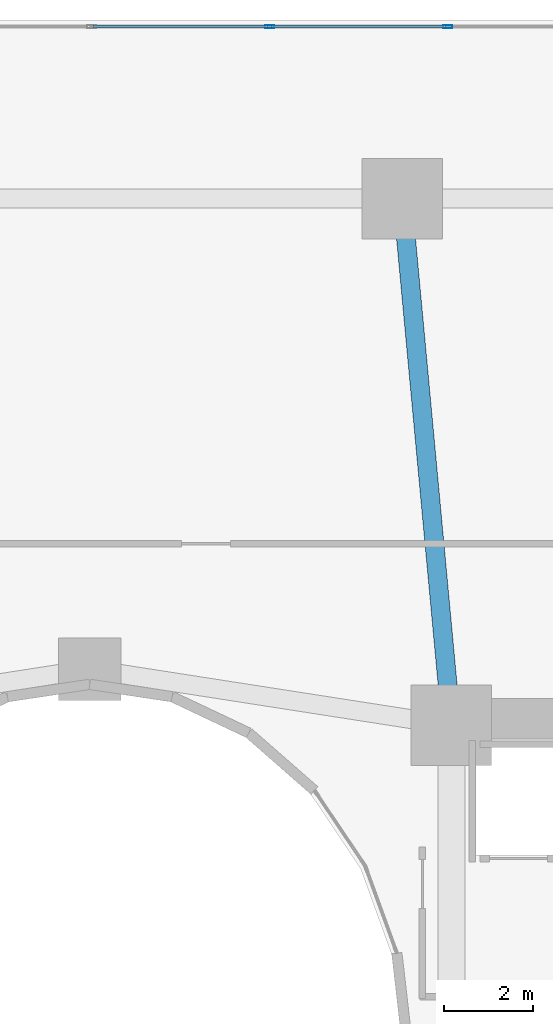
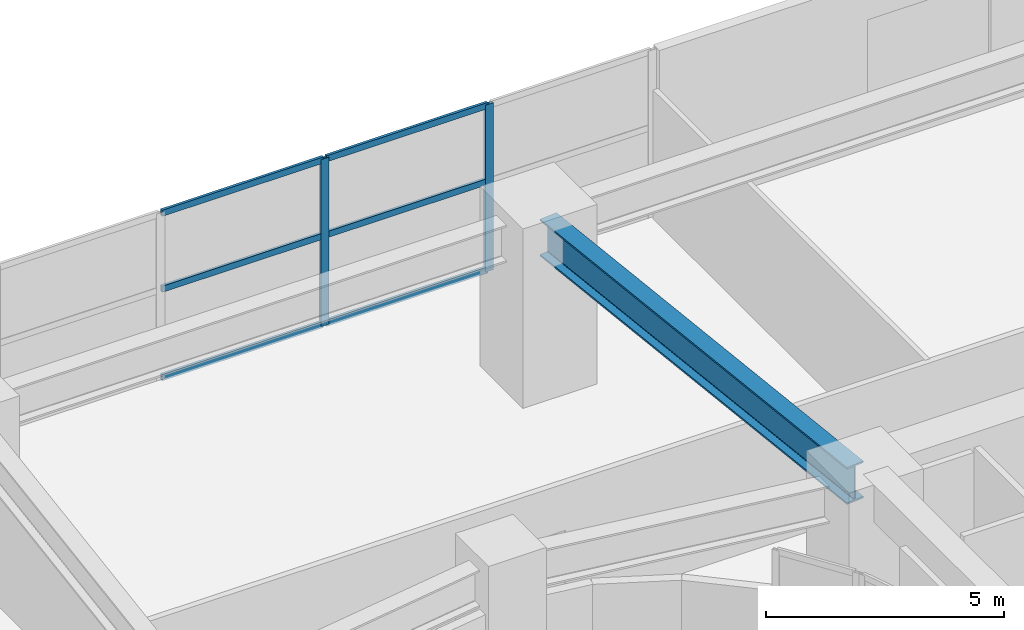
# One storey, part 12 of 25: 8 members, 1 beam, 1 element without a shape of its own.
"""IFC4 building model written with IfcOpenShell, lengths in metres."""

from ifc_helpers import new_model, si_unit, direction, frame, origin, origin_2d, place, context, subcontext, project, spatial, hollow_rectangle, i_section, extrude, material, layer, layer_set, material_profile, profile_set, type_object, element, aggregate, save


model = new_model("IFC4")

# Units and contexts
model_context = context("Model", 3, precision=1e-05, world=origin(), true_north=direction((0.0, 1.0)))
body_context = subcontext(model_context, "Body", "Model", "MODEL_VIEW")
ifc_project = project(units=[si_unit("LENGTHUNIT", "METRE"), si_unit("AREAUNIT", "SQUARE_METRE"), si_unit("VOLUMEUNIT", "CUBIC_METRE"), si_unit("PLANEANGLEUNIT", "RADIAN"), si_unit("MASSUNIT", "GRAM", prefix="KILO")], contexts=[model_context])

# Site, building, storey
site_placement = place(None, origin())
site = spatial("IfcSite", under=ifc_project, at=site_placement, CompositionType="ELEMENT")
building_placement = place(site_placement, origin())
building = spatial("IfcBuilding", under=site, at=building_placement, Name="Solvane Sanctuary Tower", CompositionType="ELEMENT")
storey_placement = place(building_placement, frame((0.0, 0.0, 13.800048828125)))
storey = spatial("IfcBuildingStorey", under=building, at=storey_placement, Name="L04", CompositionType="ELEMENT", Elevation=13.800048828125)

# Beam
ifc_material_1 = material(Name="Steel ASTM A913 Grade 65", Category="steel")
ifc_material_profile_1 = material_profile(ifc_material_1, i_section(OverallWidth=0.423095703125, OverallDepth=0.947998046875, WebThickness=0.02392578125, FlangeThickness=0.042724609375, FilletRadius=0.02392578125, at=origin_2d()), Name="W36X302")
ifc_profile_set_1 = profile_set([ifc_material_profile_1], Name="Steel ASTM A913 Grade 65")
beam_type = type_object("IfcBeamType", Name="Beam B-POD-GIRD W36X302", PredefinedType="BEAM", material=ifc_profile_set_1)
beam_placement = place(storey_placement, frame((39.032470703125, 41.651611328125, 3.803955078125), z_axis=(0.092807615301, -0.9956840596, 0.0), x_axis=(0.9956840596, 0.092807615301, 0.0)))
element("IfcBeam", 1, at=beam_placement, inside=storey, type_object=beam_type, Name="L04 Podium Primary Girder PG12", PredefinedType="BEAM", context=body_context, shape_type="SweptSolid", body=[
    extrude(i_section(OverallWidth=0.423095703125, OverallDepth=0.947998046875, WebThickness=0.02392578125, FlangeThickness=0.042724609375, FilletRadius=0.02392578125, at=origin_2d()), origin(), (0.0, 0.0, 1.0), 11.151123046875),
])

# Curtain wall, members
ifc_material_2 = material(Name="Anodised Aluminium 6063-T6", Category="aluminium")
ifc_layer = layer(ifc_material_2, 0.159912109375, Name="Anodised Aluminium 6063-T6")
ifc_layer_set = layer_set([ifc_layer], Name="Anodised Aluminium 6063-T6")
curtain_wall_type = type_object("IfcCurtainWallType", Name="Curtain Wall CW-POD", PredefinedType="NOTDEFINED", material=ifc_layer_set)
curtain_wall_placement = place(storey_placement, origin())
curtain_wall = element("IfcCurtainWall", 2, at=curtain_wall_placement, inside=storey, type_object=curtain_wall_type, Name="L04 Sanctuary Curtain Wall N2", PredefinedType="NOTDEFINED")
ifc_material_profile_2 = material_profile(ifc_material_2, hollow_rectangle(XDim=0.074951171875, YDim=0.199951171875, WallThickness=0.00390625, at=origin_2d()), Name="ALU200X75X4")
ifc_profile_set_2 = profile_set([ifc_material_profile_2], Name="Anodised Aluminium 6063-T6")
member_type_1 = type_object("IfcMemberType", Name="Member M-CW-MUL-1 ALU200X75X4", PredefinedType="MULLION", material=ifc_profile_set_2)
member_1_placement = place(storey_placement, frame((40.013427734375, 45.85009765625, 0.0), z_axis=(0.0, 0.0, 1.0), x_axis=(0.0, -1.0, 0.0)))
member_1 = element("IfcMember", 3, at=member_1_placement, type_object=member_type_1, Name="CW-POD mullion 2", PredefinedType="MULLION", context=body_context, shape_type="SweptSolid", body=[
    extrude(hollow_rectangle(XDim=0.074951171875, YDim=0.199951171875, WallThickness=0.00390625, at=origin_2d()), origin(), (0.0, 0.0, 1.0), 4.280029296875),
])
member_2_placement = place(storey_placement, frame((36.026611328125, 45.85009765625, 0.0), z_axis=(0.0, 0.0, 1.0), x_axis=(0.0, -1.0, 0.0)))
member_2 = element("IfcMember", 4, at=member_2_placement, type_object=member_type_1, Name="CW-POD mullion 3", PredefinedType="MULLION", context=body_context, shape_type="SweptSolid", body=[
    extrude(hollow_rectangle(XDim=0.074951171875, YDim=0.199951171875, WallThickness=0.00390625, at=origin_2d()), origin(), (0.0, 0.0, 1.0), 4.280029296875),
])
ifc_material_profile_3 = material_profile(ifc_material_2, hollow_rectangle(XDim=0.06494140625, YDim=0.159912109375, WallThickness=0.00341796875, at=origin_2d()), Name="ALU160X65X3.5")
ifc_profile_set_3 = profile_set([ifc_material_profile_3], Name="Anodised Aluminium 6063-T6")
member_type_2 = type_object("IfcMemberType", Name="Member M-CW-TRN-1 ALU160X65X3.5", PredefinedType="USERDEFINED", material=ifc_profile_set_3)
member_3_placement = place(storey_placement, frame((39.975830078125, 45.85009765625, 0.032470703125), z_axis=(-1.0, 0.0, 0.0), x_axis=(0.0, -1.0, 0.0)))
member_3 = element("IfcMember", 5, at=member_3_placement, type_object=member_type_2, Name="CW-POD transom 2.1", ObjectType="TRANSOM", PredefinedType="USERDEFINED", context=body_context, shape_type="SweptSolid", body=[
    extrude(hollow_rectangle(XDim=0.06494140625, YDim=0.159912109375, WallThickness=0.00341796875, at=origin_2d()), origin(), (0.0, 0.0, 1.0), 3.91162109375),
])
member_4_placement = place(storey_placement, frame((39.975830078125, 45.85009765625, 2.300048828125), z_axis=(-1.0, 0.0, 0.0), x_axis=(0.0, -1.0, 0.0)))
member_4 = element("IfcMember", 6, at=member_4_placement, type_object=member_type_2, Name="CW-POD transom 2.2", ObjectType="TRANSOM", PredefinedType="USERDEFINED", context=body_context, shape_type="SweptSolid", body=[
    extrude(hollow_rectangle(XDim=0.06494140625, YDim=0.159912109375, WallThickness=0.00341796875, at=origin_2d()), origin(), (0.0, 0.0, 1.0), 3.91162109375),
])
member_5_placement = place(storey_placement, frame((39.975830078125, 45.85009765625, 4.24755859375), z_axis=(-1.0, 0.0, 0.0), x_axis=(0.0, -1.0, 0.0)))
member_5 = element("IfcMember", 7, at=member_5_placement, type_object=member_type_2, Name="CW-POD transom 2.3", ObjectType="TRANSOM", PredefinedType="USERDEFINED", context=body_context, shape_type="SweptSolid", body=[
    extrude(hollow_rectangle(XDim=0.06494140625, YDim=0.159912109375, WallThickness=0.00341796875, at=origin_2d()), origin(), (0.0, 0.0, 1.0), 3.91162109375),
])
member_6_placement = place(storey_placement, frame((35.9892578125, 45.85009765625, 0.032470703125), z_axis=(-1.0, 0.0, 0.0), x_axis=(0.0, -1.0, 0.0)))
member_6 = element("IfcMember", 8, at=member_6_placement, type_object=member_type_2, Name="CW-POD transom 3.1", ObjectType="TRANSOM", PredefinedType="USERDEFINED", context=body_context, shape_type="SweptSolid", body=[
    extrude(hollow_rectangle(XDim=0.06494140625, YDim=0.159912109375, WallThickness=0.00341796875, at=origin_2d()), origin(), (0.0, 0.0, 1.0), 3.911865234375),
])
member_7_placement = place(storey_placement, frame((35.9892578125, 45.85009765625, 2.300048828125), z_axis=(-1.0, 0.0, 0.0), x_axis=(0.0, -1.0, 0.0)))
member_7 = element("IfcMember", 9, at=member_7_placement, type_object=member_type_2, Name="CW-POD transom 3.2", ObjectType="TRANSOM", PredefinedType="USERDEFINED", context=body_context, shape_type="SweptSolid", body=[
    extrude(hollow_rectangle(XDim=0.06494140625, YDim=0.159912109375, WallThickness=0.00341796875, at=origin_2d()), origin(), (0.0, 0.0, 1.0), 3.911865234375),
])
member_8_placement = place(storey_placement, frame((35.9892578125, 45.85009765625, 4.24755859375), z_axis=(-1.0, 0.0, 0.0), x_axis=(0.0, -1.0, 0.0)))
member_8 = element("IfcMember", 10, at=member_8_placement, type_object=member_type_2, Name="CW-POD transom 3.3", ObjectType="TRANSOM", PredefinedType="USERDEFINED", context=body_context, shape_type="SweptSolid", body=[
    extrude(hollow_rectangle(XDim=0.06494140625, YDim=0.159912109375, WallThickness=0.00341796875, at=origin_2d()), origin(), (0.0, 0.0, 1.0), 3.911865234375),
])
aggregate(curtain_wall, [member_1, member_2, member_3, member_4, member_5, member_6, member_7, member_8])

save(model, "model.ifc")
